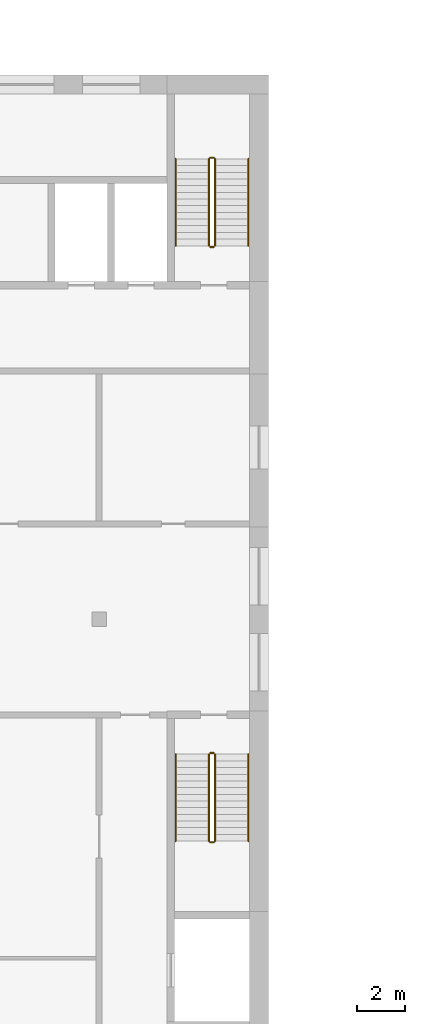
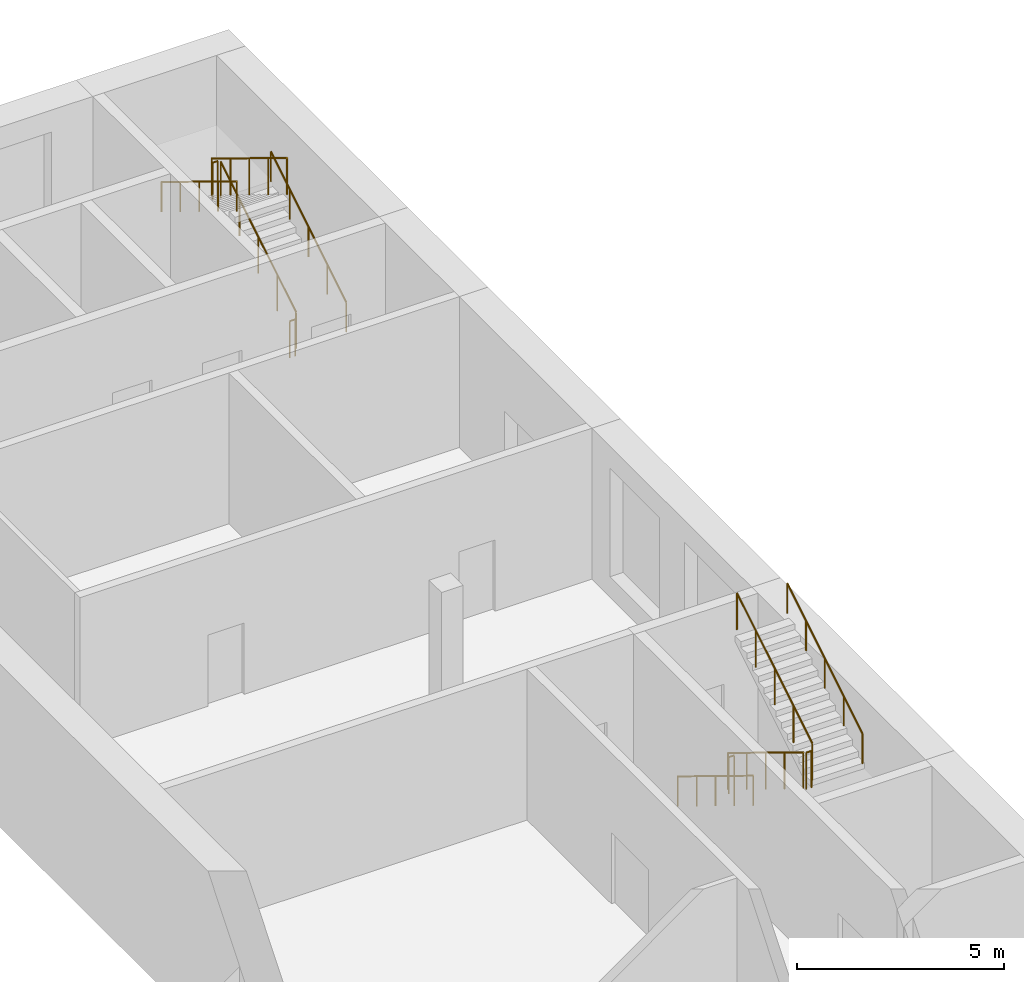
# One storey, part 17 of 24: 12 railings.
"""IFC4 building model written with IfcOpenShell, lengths in metres."""

from ifc_helpers import new_model, si_unit, direction, frame, origin, origin_2d, place, context, subcontext, project, spatial, circle, extrude, material, type_object, element, save


model = new_model("IFC4")

# Units and contexts
model_context = context("Model", 3, precision=1e-05, world=origin(), true_north=direction((0.0, 1.0)))
body_context = subcontext(model_context, "Body", "Model", "MODEL_VIEW")
ifc_project = project(units=[si_unit("LENGTHUNIT", "METRE"), si_unit("AREAUNIT", "SQUARE_METRE"), si_unit("VOLUMEUNIT", "CUBIC_METRE"), si_unit("PLANEANGLEUNIT", "RADIAN"), si_unit("MASSUNIT", "GRAM", prefix="KILO")], contexts=[model_context])

# Site, building, storey
site_placement = place(None, origin())
site = spatial("IfcSite", under=ifc_project, at=site_placement, CompositionType="ELEMENT")
building_placement = place(site_placement, origin())
building = spatial("IfcBuilding", under=site, at=building_placement, Name="Kiln Ring Residences", CompositionType="ELEMENT")
storey_placement = place(building_placement, frame((0.0, 0.0, 11.300048828125)))
storey = spatial("IfcBuildingStorey", under=building, at=storey_placement, Name="L02", CompositionType="ELEMENT", Elevation=11.300048828125)

# Railings
ifc_material_1 = material(Name="Stainless steel", Category="steel")
railing_type_1 = type_object("IfcRailingType", Name="Hall stair guard 1100", PredefinedType="GUARDRAIL", material=ifc_material_1)
railing_1_placement = place(storey_placement, frame((27.75, -119.550048828125, 0.17138671875)))
element("IfcRailing", 1, at=railing_1_placement, inside=storey, type_object=railing_type_1, Name="L02 HALL.ST2 stair guard 1", PredefinedType="GUARDRAIL", context=body_context, shape_type="SweptSolid", body=[
    extrude(circle(Radius=0.02392578125, at=origin_2d()), frame((0.0, 0.0, 1.076171875), z_axis=(0.0, 0.852865859571, 0.52213008492), x_axis=(-1.0, 0.0, 0.0)), (0.0, 0.0, 1.0), 4.26806640625),
    extrude(circle(Radius=0.02099609375, at=origin_2d()), origin(), (0.0, 0.0, 1.0), 1.052001953125),
    extrude(circle(Radius=0.02099609375, at=origin_2d()), frame((0.0, 0.91015625, 0.55712890625)), (0.0, 0.0, 1.0), 1.052001953125),
    extrude(circle(Radius=0.02099609375, at=origin_2d()), frame((0.0, 1.820068359375, 1.1142578125)), (0.0, 0.0, 1.0), 1.052001953125),
    extrude(circle(Radius=0.02099609375, at=origin_2d()), frame((0.0, 2.72998046875, 1.67138671875)), (0.0, 0.0, 1.0), 1.052001953125),
    extrude(circle(Radius=0.02099609375, at=origin_2d()), frame((0.0, 3.64013671875, 2.228515625)), (0.0, 0.0, 1.0), 1.052001953125),
])
railing_2_placement = place(storey_placement, frame((27.699951171875, -115.860107421875, 2.39990234375)))
element("IfcRailing", 2, at=railing_2_placement, inside=storey, type_object=railing_type_1, Name="L02 HALL.ST2 stair guard 2", PredefinedType="GUARDRAIL", context=body_context, shape_type="SweptSolid", body=[
    extrude(circle(Radius=0.02392578125, at=origin_2d()), frame((0.0, 0.0, 1.076171875), z_axis=(-1.0, 0.0, 0.0), x_axis=(0.0, -1.0, 0.0)), (0.0, 0.0, 1.0), 0.14990234375),
    extrude(circle(Radius=0.02099609375, at=origin_2d()), origin(), (0.0, 0.0, 1.0), 1.052001953125),
    extrude(circle(Radius=0.02099609375, at=origin_2d()), frame((-0.14990234375, 0.0, 0.0)), (0.0, 0.0, 1.0), 1.052001953125),
])
railing_3_placement = place(storey_placement, frame((27.5, -115.909912109375, 2.5712890625)))
element("IfcRailing", 3, at=railing_3_placement, inside=storey, type_object=railing_type_1, Name="L02 HALL.ST2 stair guard 3", PredefinedType="GUARDRAIL", context=body_context, shape_type="SweptSolid", body=[
    extrude(circle(Radius=0.02392578125, at=origin_2d()), frame((0.0, 0.0, 1.076171875), z_axis=(0.0, -0.852840387347, 0.522171689878), x_axis=(1.0, 0.0, 0.0)), (0.0, 0.0, 1.0), 4.268310546875),
    extrude(circle(Radius=0.02099609375, at=origin_2d()), origin(), (0.0, 0.0, 1.0), 1.052001953125),
    extrude(circle(Radius=0.02099609375, at=origin_2d()), frame((0.0, -0.91015625, 0.55712890625)), (0.0, 0.0, 1.0), 1.052001953125),
    extrude(circle(Radius=0.02099609375, at=origin_2d()), frame((0.0, -1.820068359375, 1.1142578125)), (0.0, 0.0, 1.0), 1.052001953125),
    extrude(circle(Radius=0.02099609375, at=origin_2d()), frame((0.0, -2.72998046875, 1.671630859375)), (0.0, 0.0, 1.0), 1.052001953125),
    extrude(circle(Radius=0.02099609375, at=origin_2d()), frame((0.0, -3.64013671875, 2.228759765625)), (0.0, 0.0, 1.0), 1.052001953125),
])
railing_4_placement = place(storey_placement, frame((27.699951171875, -119.60009765625, 0.0)))
element("IfcRailing", 4, at=railing_4_placement, inside=storey, type_object=railing_type_1, Name="L02 HALL.ST2 stair guard 4", PredefinedType="GUARDRAIL", context=body_context, shape_type="SweptSolid", body=[
    extrude(circle(Radius=0.02392578125, at=origin_2d()), frame((0.0, 0.0, 1.076171875), z_axis=(-1.0, 0.0, 0.0), x_axis=(0.0, -1.0, 0.0)), (0.0, 0.0, 1.0), 0.14990234375),
    extrude(circle(Radius=0.02099609375, at=origin_2d()), origin(), (0.0, 0.0, 1.0), 1.052001953125),
    extrude(circle(Radius=0.02099609375, at=origin_2d()), frame((-0.14990234375, 0.0, 0.0)), (0.0, 0.0, 1.0), 1.052001953125),
])
railing_5_placement = place(storey_placement, frame((27.5, -140.85009765625, 0.17138671875)))
element("IfcRailing", 5, at=railing_5_placement, inside=storey, type_object=railing_type_1, Name="L02 HALL.ST4 stair guard 1", PredefinedType="GUARDRAIL", context=body_context, shape_type="SweptSolid", body=[
    extrude(circle(Radius=0.02392578125, at=origin_2d()), frame((0.0, 0.0, 1.076171875), z_axis=(0.0, -0.852850264322, 0.5221555579), x_axis=(1.0, 0.0, 0.0)), (0.0, 0.0, 1.0), 4.267822265625),
    extrude(circle(Radius=0.02099609375, at=origin_2d()), origin(), (0.0, 0.0, 1.0), 1.052001953125),
    extrude(circle(Radius=0.02099609375, at=origin_2d()), frame((0.0, -0.909912109375, 0.55712890625)), (0.0, 0.0, 1.0), 1.052001953125),
    extrude(circle(Radius=0.02099609375, at=origin_2d()), frame((0.0, -1.81982421875, 1.1142578125)), (0.0, 0.0, 1.0), 1.052001953125),
    extrude(circle(Radius=0.02099609375, at=origin_2d()), frame((0.0, -2.72998046875, 1.67138671875)), (0.0, 0.0, 1.0), 1.052001953125),
    extrude(circle(Radius=0.02099609375, at=origin_2d()), frame((0.0, -3.639892578125, 2.228515625)), (0.0, 0.0, 1.0), 1.052001953125),
])
railing_6_placement = place(storey_placement, frame((27.550048828125, -144.5400390625, 2.39990234375)))
element("IfcRailing", 6, at=railing_6_placement, inside=storey, type_object=railing_type_1, Name="L02 HALL.ST4 stair guard 2", PredefinedType="GUARDRAIL", context=body_context, shape_type="SweptSolid", body=[
    extrude(circle(Radius=0.02392578125, at=origin_2d()), frame((0.0, 0.0, 1.076171875), z_axis=(1.0, 0.0, 0.0), x_axis=(0.0, 1.0, 0.0)), (0.0, 0.0, 1.0), 0.14990234375),
    extrude(circle(Radius=0.02099609375, at=origin_2d()), origin(), (0.0, 0.0, 1.0), 1.052001953125),
    extrude(circle(Radius=0.02099609375, at=origin_2d()), frame((0.14990234375, 0.0, 0.0)), (0.0, 0.0, 1.0), 1.052001953125),
])
railing_7_placement = place(storey_placement, frame((27.75, -144.489990234375, 2.5712890625)))
element("IfcRailing", 7, at=railing_7_placement, inside=storey, type_object=railing_type_1, Name="L02 HALL.ST4 stair guard 3", PredefinedType="GUARDRAIL", context=body_context, shape_type="SweptSolid", body=[
    extrude(circle(Radius=0.02392578125, at=origin_2d()), frame((0.0, 0.0, 1.076171875), z_axis=(0.0, 0.852824790078, 0.522197163366), x_axis=(-1.0, 0.0, 0.0)), (0.0, 0.0, 1.0), 4.26806640625),
    extrude(circle(Radius=0.02099609375, at=origin_2d()), origin(), (0.0, 0.0, 1.0), 1.052001953125),
    extrude(circle(Radius=0.02099609375, at=origin_2d()), frame((0.0, 0.909912109375, 0.55712890625)), (0.0, 0.0, 1.0), 1.052001953125),
    extrude(circle(Radius=0.02099609375, at=origin_2d()), frame((0.0, 1.81982421875, 1.1142578125)), (0.0, 0.0, 1.0), 1.052001953125),
    extrude(circle(Radius=0.02099609375, at=origin_2d()), frame((0.0, 2.72998046875, 1.671630859375)), (0.0, 0.0, 1.0), 1.052001953125),
    extrude(circle(Radius=0.02099609375, at=origin_2d()), frame((0.0, 3.639892578125, 2.228759765625)), (0.0, 0.0, 1.0), 1.052001953125),
])
railing_8_placement = place(storey_placement, frame((27.550048828125, -140.800048828125, 0.0)))
element("IfcRailing", 8, at=railing_8_placement, inside=storey, type_object=railing_type_1, Name="L02 HALL.ST4 stair guard 4", PredefinedType="GUARDRAIL", context=body_context, shape_type="SweptSolid", body=[
    extrude(circle(Radius=0.02392578125, at=origin_2d()), frame((0.0, 0.0, 1.076171875), z_axis=(1.0, 0.0, 0.0), x_axis=(0.0, 1.0, 0.0)), (0.0, 0.0, 1.0), 0.14990234375),
    extrude(circle(Radius=0.02099609375, at=origin_2d()), origin(), (0.0, 0.0, 1.0), 1.052001953125),
    extrude(circle(Radius=0.02099609375, at=origin_2d()), frame((0.14990234375, 0.0, 0.0)), (0.0, 0.0, 1.0), 1.052001953125),
])
ifc_material_2 = material(Name="Stainless steel", Category="steel")
railing_type_2 = type_object("IfcRailingType", Name="Hall stair handrail 900", PredefinedType="HANDRAIL", material=ifc_material_2)
railing_9_placement = place(storey_placement, frame((29.14990234375, -119.550048828125, 0.17138671875)))
element("IfcRailing", 9, at=railing_9_placement, inside=storey, type_object=railing_type_2, Name="L02 HALL.ST2 stair handrail 1", PredefinedType="HANDRAIL", context=body_context, shape_type="SweptSolid", body=[
    extrude(circle(Radius=0.02392578125, at=origin_2d()), frame((0.0, 0.0, 0.8759765625), z_axis=(0.0, 0.852865859571, 0.52213008492), x_axis=(-1.0, 0.0, 0.0)), (0.0, 0.0, 1.0), 4.26806640625),
    extrude(circle(Radius=0.02099609375, at=origin_2d()), origin(), (0.0, 0.0, 1.0), 0.851806640625),
    extrude(circle(Radius=0.02099609375, at=origin_2d()), frame((0.0, 0.91015625, 0.55712890625)), (0.0, 0.0, 1.0), 0.851806640625),
    extrude(circle(Radius=0.02099609375, at=origin_2d()), frame((0.0, 1.820068359375, 1.1142578125)), (0.0, 0.0, 1.0), 0.851806640625),
    extrude(circle(Radius=0.02099609375, at=origin_2d()), frame((0.0, 2.72998046875, 1.67138671875)), (0.0, 0.0, 1.0), 0.851806640625),
    extrude(circle(Radius=0.02099609375, at=origin_2d()), frame((0.0, 3.64013671875, 2.228515625)), (0.0, 0.0, 1.0), 0.851806640625),
])
railing_10_placement = place(storey_placement, frame((26.10009765625, -115.909912109375, 2.5712890625)))
element("IfcRailing", 10, at=railing_10_placement, inside=storey, type_object=railing_type_2, Name="L02 HALL.ST2 stair handrail 2", PredefinedType="HANDRAIL", context=body_context, shape_type="SweptSolid", body=[
    extrude(circle(Radius=0.02392578125, at=origin_2d()), frame((0.0, 0.0, 0.8759765625), z_axis=(0.0, -0.852840387347, 0.522171689878), x_axis=(1.0, 0.0, 0.0)), (0.0, 0.0, 1.0), 4.268310546875),
    extrude(circle(Radius=0.02099609375, at=origin_2d()), origin(), (0.0, 0.0, 1.0), 0.851806640625),
    extrude(circle(Radius=0.02099609375, at=origin_2d()), frame((0.0, -0.91015625, 0.55712890625)), (0.0, 0.0, 1.0), 0.851806640625),
    extrude(circle(Radius=0.02099609375, at=origin_2d()), frame((0.0, -1.820068359375, 1.1142578125)), (0.0, 0.0, 1.0), 0.851806640625),
    extrude(circle(Radius=0.02099609375, at=origin_2d()), frame((0.0, -2.72998046875, 1.671630859375)), (0.0, 0.0, 1.0), 0.851806640625),
    extrude(circle(Radius=0.02099609375, at=origin_2d()), frame((0.0, -3.64013671875, 2.228759765625)), (0.0, 0.0, 1.0), 0.851806640625),
])
railing_11_placement = place(storey_placement, frame((26.10009765625, -140.85009765625, 0.17138671875)))
element("IfcRailing", 11, at=railing_11_placement, inside=storey, type_object=railing_type_2, Name="L02 HALL.ST4 stair handrail 1", PredefinedType="HANDRAIL", context=body_context, shape_type="SweptSolid", body=[
    extrude(circle(Radius=0.02392578125, at=origin_2d()), frame((0.0, 0.0, 0.8759765625), z_axis=(0.0, -0.852850264322, 0.5221555579), x_axis=(1.0, 0.0, 0.0)), (0.0, 0.0, 1.0), 4.267822265625),
    extrude(circle(Radius=0.02099609375, at=origin_2d()), origin(), (0.0, 0.0, 1.0), 0.851806640625),
    extrude(circle(Radius=0.02099609375, at=origin_2d()), frame((0.0, -0.909912109375, 0.55712890625)), (0.0, 0.0, 1.0), 0.851806640625),
    extrude(circle(Radius=0.02099609375, at=origin_2d()), frame((0.0, -1.81982421875, 1.1142578125)), (0.0, 0.0, 1.0), 0.851806640625),
    extrude(circle(Radius=0.02099609375, at=origin_2d()), frame((0.0, -2.72998046875, 1.67138671875)), (0.0, 0.0, 1.0), 0.851806640625),
    extrude(circle(Radius=0.02099609375, at=origin_2d()), frame((0.0, -3.639892578125, 2.228515625)), (0.0, 0.0, 1.0), 0.851806640625),
])
railing_12_placement = place(storey_placement, frame((29.14990234375, -144.489990234375, 2.5712890625)))
element("IfcRailing", 12, at=railing_12_placement, inside=storey, type_object=railing_type_2, Name="L02 HALL.ST4 stair handrail 2", PredefinedType="HANDRAIL", context=body_context, shape_type="SweptSolid", body=[
    extrude(circle(Radius=0.02392578125, at=origin_2d()), frame((0.0, 0.0, 0.8759765625), z_axis=(0.0, 0.852824790078, 0.522197163366), x_axis=(-1.0, 0.0, 0.0)), (0.0, 0.0, 1.0), 4.26806640625),
    extrude(circle(Radius=0.02099609375, at=origin_2d()), origin(), (0.0, 0.0, 1.0), 0.851806640625),
    extrude(circle(Radius=0.02099609375, at=origin_2d()), frame((0.0, 0.909912109375, 0.55712890625)), (0.0, 0.0, 1.0), 0.851806640625),
    extrude(circle(Radius=0.02099609375, at=origin_2d()), frame((0.0, 1.81982421875, 1.1142578125)), (0.0, 0.0, 1.0), 0.851806640625),
    extrude(circle(Radius=0.02099609375, at=origin_2d()), frame((0.0, 2.72998046875, 1.671630859375)), (0.0, 0.0, 1.0), 0.851806640625),
    extrude(circle(Radius=0.02099609375, at=origin_2d()), frame((0.0, 3.639892578125, 2.228759765625)), (0.0, 0.0, 1.0), 0.851806640625),
])

save(model, "model.ifc")
